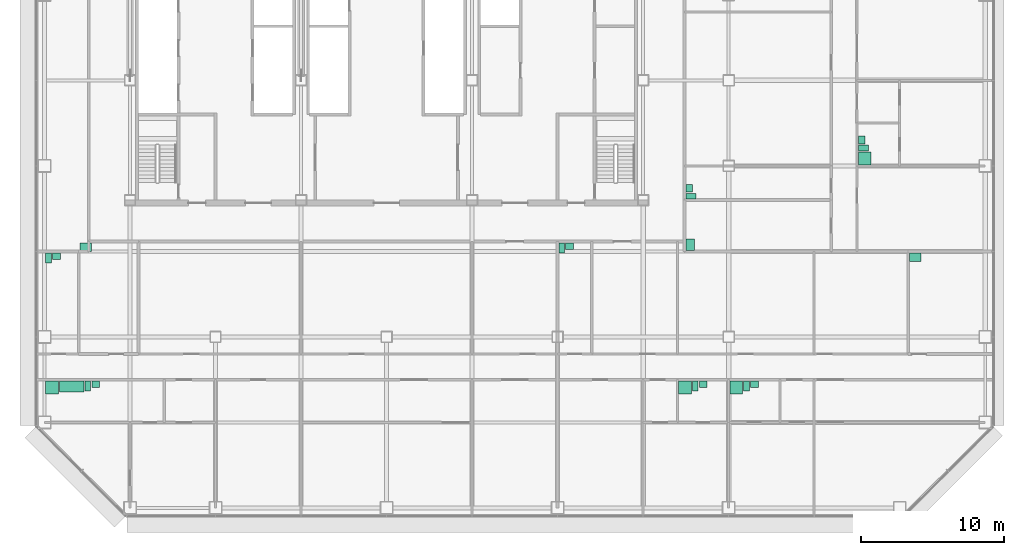
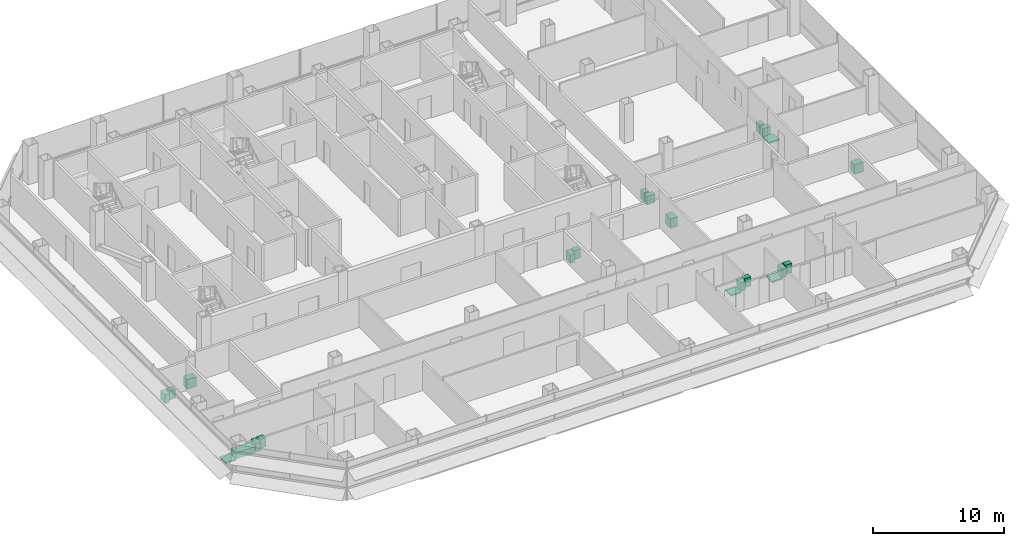
# One storey, part 27 of 27: 22 sanitary terminals.
"""IFC4 building model written with IfcOpenShell, lengths in metres."""

from ifc_helpers import new_model, si_unit, direction, frame, origin, origin_2d, place, context, subcontext, project, spatial, rectangle, extrude, element, save


model = new_model("IFC4")

# Units and contexts
model_context = context("Model", 3, precision=1e-05, world=origin(), true_north=direction((0.0, 1.0)))
body_context = subcontext(model_context, "Body", "Model", "MODEL_VIEW")
ifc_project = project(units=[si_unit("LENGTHUNIT", "METRE"), si_unit("AREAUNIT", "SQUARE_METRE"), si_unit("VOLUMEUNIT", "CUBIC_METRE"), si_unit("PLANEANGLEUNIT", "RADIAN"), si_unit("MASSUNIT", "GRAM", prefix="KILO")], contexts=[model_context])

# Site, building, storey
site_placement = place(None, origin())
site = spatial("IfcSite", under=ifc_project, at=site_placement, CompositionType="ELEMENT")
building_placement = place(site_placement, origin())
building = spatial("IfcBuilding", under=site, at=building_placement, Name="Sorahane Residences", CompositionType="ELEMENT")
storey_placement = place(building_placement, frame((0.0, 0.0, 53.39990234375)))
storey = spatial("IfcBuildingStorey", under=building, at=storey_placement, Name="L09", CompositionType="ELEMENT", Elevation=53.39990234375)

# Sanitary terminals
sanitary_terminal_1_placement = place(storey_placement, frame((0.530029296875, 8.449951171875, 0.0), z_axis=(0.0, 0.0, 1.0), x_axis=(1.0, 0.0, 0.0)))
element("IfcSanitaryTerminal", 1, at=sanitary_terminal_1_placement, inside=storey, Name="Shower tray En-suite bathroom 09A", PredefinedType="SHOWER", context=body_context, shape_type="SweptSolid", body=[
    extrude(rectangle(XDim=0.89990234375, YDim=0.89990234375, at=origin_2d()), origin(), (0.0, 0.0, 1.0), 0.1201171875),
])
sanitary_terminal_2_placement = place(storey_placement, frame((1.909912109375, 8.52490234375, 0.0), z_axis=(0.0, 0.0, 1.0), x_axis=(1.0, 0.0, 0.0)))
element("IfcSanitaryTerminal", 2, at=sanitary_terminal_2_placement, inside=storey, Name="Bath En-suite bathroom 09A", PredefinedType="BATH", context=body_context, shape_type="SweptSolid", body=[
    extrude(rectangle(XDim=1.699951171875, YDim=0.75, at=origin_2d()), origin(), (0.0, 0.0, 1.0), 0.56005859375),
])
sanitary_terminal_3_placement = place(storey_placement, frame((3.0400390625, 8.550048828125, 0.0), z_axis=(0.0, 0.0, 1.0), x_axis=(1.0, 0.0, 0.0)))
element("IfcSanitaryTerminal", 3, at=sanitary_terminal_3_placement, inside=storey, Name="WC pan En-suite bathroom 09A", PredefinedType="TOILETPAN", context=body_context, shape_type="SweptSolid", body=[
    extrude(rectangle(XDim=0.39990234375, YDim=0.699951171875, at=origin_2d()), origin(), (0.0, 0.0, 1.0), 0.800048828125),
])
sanitary_terminal_4_placement = place(storey_placement, frame((3.594970703125, 8.675048828125, 0.0), z_axis=(0.0, 0.0, 1.0), x_axis=(1.0, 0.0, 0.0)))
element("IfcSanitaryTerminal", 4, at=sanitary_terminal_4_placement, inside=storey, Name="Wash basin En-suite bathroom 09A", PredefinedType="WASHHANDBASIN", context=body_context, shape_type="SweptSolid", body=[
    extrude(rectangle(XDim=0.550048828125, YDim=0.449951171875, at=origin_2d()), origin(), (0.0, 0.0, 1.0), 0.85009765625),
])
sanitary_terminal_5_placement = place(storey_placement, frame((0.280029296875, 17.550048828125, 0.0), z_axis=(0.0, 0.0, 1.0), x_axis=(1.0, 0.0, 0.0)))
element("IfcSanitaryTerminal", 5, at=sanitary_terminal_5_placement, inside=storey, Name="WC pan Powder room 09A", PredefinedType="TOILETPAN", context=body_context, shape_type="SweptSolid", body=[
    extrude(rectangle(XDim=0.39990234375, YDim=0.699951171875, at=origin_2d()), origin(), (0.0, 0.0, 1.0), 0.800048828125),
])
sanitary_terminal_6_placement = place(storey_placement, frame((0.8349609375, 17.675048828125, 0.0), z_axis=(0.0, 0.0, 1.0), x_axis=(1.0, 0.0, 0.0)))
element("IfcSanitaryTerminal", 6, at=sanitary_terminal_6_placement, inside=storey, Name="Wash basin Powder room 09A", PredefinedType="WASHHANDBASIN", context=body_context, shape_type="SweptSolid", body=[
    extrude(rectangle(XDim=0.550048828125, YDim=0.449951171875, at=origin_2d()), origin(), (0.0, 0.0, 1.0), 0.85009765625),
])
sanitary_terminal_7_placement = place(storey_placement, frame((2.8798828125, 18.300048828125, 0.000244140625), z_axis=(0.0, 0.0, 1.0), x_axis=(1.0, 0.0, 0.0)))
element("IfcSanitaryTerminal", 7, at=sanitary_terminal_7_placement, inside=storey, Name="Kitchen sink Kitchen 09A", PredefinedType="SINK", context=body_context, shape_type="SweptSolid", body=[
    extrude(rectangle(XDim=0.800048828125, YDim=0.60009765625, at=origin_2d()), origin(), (0.0, 0.0, 1.0), 0.89990234375),
])
sanitary_terminal_8_placement = place(storey_placement, frame((44.929931640625, 8.449951171875, 0.0), z_axis=(0.0, 0.0, 1.0), x_axis=(1.0, 0.0, 0.0)))
element("IfcSanitaryTerminal", 8, at=sanitary_terminal_8_placement, inside=storey, Name="Shower tray En-suite bathroom 09B", PredefinedType="SHOWER", context=body_context, shape_type="SweptSolid", body=[
    extrude(rectangle(XDim=0.89990234375, YDim=0.89990234375, at=origin_2d()), origin(), (0.0, 0.0, 1.0), 0.1201171875),
])
sanitary_terminal_9_placement = place(storey_placement, frame((45.659912109375, 8.550048828125, 0.0), z_axis=(0.0, 0.0, 1.0), x_axis=(1.0, 0.0, 0.0)))
element("IfcSanitaryTerminal", 9, at=sanitary_terminal_9_placement, inside=storey, Name="WC pan En-suite bathroom 09B", PredefinedType="TOILETPAN", context=body_context, shape_type="SweptSolid", body=[
    extrude(rectangle(XDim=0.39990234375, YDim=0.699951171875, at=origin_2d()), origin(), (0.0, 0.0, 1.0), 0.800048828125),
])
sanitary_terminal_10_placement = place(storey_placement, frame((46.215087890625, 8.675048828125, 0.0), z_axis=(0.0, 0.0, 1.0), x_axis=(1.0, 0.0, 0.0)))
element("IfcSanitaryTerminal", 10, at=sanitary_terminal_10_placement, inside=storey, Name="Wash basin En-suite bathroom 09B", PredefinedType="WASHHANDBASIN", context=body_context, shape_type="SweptSolid", body=[
    extrude(rectangle(XDim=0.550048828125, YDim=0.449951171875, at=origin_2d()), origin(), (0.0, 0.0, 1.0), 0.85009765625),
])
sanitary_terminal_11_placement = place(storey_placement, frame((48.530029296875, 8.449951171875, 0.0), z_axis=(0.0, 0.0, 1.0), x_axis=(1.0, 0.0, 0.0)))
element("IfcSanitaryTerminal", 11, at=sanitary_terminal_11_placement, inside=storey, Name="Shower tray En-suite bathroom 09B-2", PredefinedType="SHOWER", context=body_context, shape_type="SweptSolid", body=[
    extrude(rectangle(XDim=0.89990234375, YDim=0.89990234375, at=origin_2d()), origin(), (0.0, 0.0, 1.0), 0.1201171875),
])
sanitary_terminal_12_placement = place(storey_placement, frame((49.260009765625, 8.550048828125, 0.0), z_axis=(0.0, 0.0, 1.0), x_axis=(1.0, 0.0, 0.0)))
element("IfcSanitaryTerminal", 12, at=sanitary_terminal_12_placement, inside=storey, Name="WC pan En-suite bathroom 09B-2", PredefinedType="TOILETPAN", context=body_context, shape_type="SweptSolid", body=[
    extrude(rectangle(XDim=0.39990234375, YDim=0.699951171875, at=origin_2d()), origin(), (0.0, 0.0, 1.0), 0.800048828125),
])
sanitary_terminal_13_placement = place(storey_placement, frame((49.81494140625, 8.675048828125, 0.0), z_axis=(0.0, 0.0, 1.0), x_axis=(1.0, 0.0, 0.0)))
element("IfcSanitaryTerminal", 13, at=sanitary_terminal_13_placement, inside=storey, Name="Wash basin En-suite bathroom 09B-2", PredefinedType="WASHHANDBASIN", context=body_context, shape_type="SweptSolid", body=[
    extrude(rectangle(XDim=0.550048828125, YDim=0.449951171875, at=origin_2d()), origin(), (0.0, 0.0, 1.0), 0.85009765625),
])
sanitary_terminal_14_placement = place(storey_placement, frame((36.280029296875, 18.25, 0.0), z_axis=(0.0, 0.0, 1.0), x_axis=(1.0, 0.0, 0.0)))
element("IfcSanitaryTerminal", 14, at=sanitary_terminal_14_placement, inside=storey, Name="WC pan Guest WC 09B", PredefinedType="TOILETPAN", context=body_context, shape_type="SweptSolid", body=[
    extrude(rectangle(XDim=0.39990234375, YDim=0.699951171875, at=origin_2d()), origin(), (0.0, 0.0, 1.0), 0.800048828125),
])
sanitary_terminal_15_placement = place(storey_placement, frame((36.8349609375, 18.375, 0.0), z_axis=(0.0, 0.0, 1.0), x_axis=(1.0, 0.0, 0.0)))
element("IfcSanitaryTerminal", 15, at=sanitary_terminal_15_placement, inside=storey, Name="Wash basin Guest WC 09B", PredefinedType="WASHHANDBASIN", context=body_context, shape_type="SweptSolid", body=[
    extrude(rectangle(XDim=0.550048828125, YDim=0.449951171875, at=origin_2d()), origin(), (0.0, 0.0, 1.0), 0.85009765625),
])
sanitary_terminal_16_placement = place(storey_placement, frame((61.080078125, 17.60009765625, 0.000244140625), z_axis=(0.0, 0.0, 1.0), x_axis=(1.0, 0.0, 0.0)))
element("IfcSanitaryTerminal", 16, at=sanitary_terminal_16_placement, inside=storey, Name="Kitchen sink Kitchen 09B", PredefinedType="SINK", context=body_context, shape_type="SweptSolid", body=[
    extrude(rectangle(XDim=0.800048828125, YDim=0.60009765625, at=origin_2d()), origin(), (0.0, 0.0, 1.0), 0.89990234375),
])
sanitary_terminal_17_placement = place(storey_placement, frame((57.550048828125, 24.530029296875, 0.0), z_axis=(0.0, 0.0, 1.0), x_axis=(0.0, 1.0, 0.0)))
element("IfcSanitaryTerminal", 17, at=sanitary_terminal_17_placement, inside=storey, Name="Shower tray En-suite bathroom 09C", PredefinedType="SHOWER", context=body_context, shape_type="SweptSolid", body=[
    extrude(rectangle(XDim=0.89990234375, YDim=0.89990234375, at=origin_2d()), origin(), (0.0, 0.0, 1.0), 0.1201171875),
])
sanitary_terminal_18_placement = place(storey_placement, frame((57.449951171875, 25.260009765625, 0.0), z_axis=(0.0, 0.0, 1.0), x_axis=(0.0, 1.0, 0.0)))
element("IfcSanitaryTerminal", 18, at=sanitary_terminal_18_placement, inside=storey, Name="WC pan En-suite bathroom 09C", PredefinedType="TOILETPAN", context=body_context, shape_type="SweptSolid", body=[
    extrude(rectangle(XDim=0.39990234375, YDim=0.699951171875, at=origin_2d()), origin(), (0.0, 0.0, 1.0), 0.800048828125),
])
sanitary_terminal_19_placement = place(storey_placement, frame((57.324951171875, 25.81494140625, 0.0), z_axis=(0.0, 0.0, 1.0), x_axis=(0.0, 1.0, 0.0)))
element("IfcSanitaryTerminal", 19, at=sanitary_terminal_19_placement, inside=storey, Name="Wash basin En-suite bathroom 09C", PredefinedType="WASHHANDBASIN", context=body_context, shape_type="SweptSolid", body=[
    extrude(rectangle(XDim=0.550048828125, YDim=0.449951171875, at=origin_2d()), origin(), (0.0, 0.0, 1.0), 0.85009765625),
])
sanitary_terminal_20_placement = place(storey_placement, frame((45.300048828125, 18.47998046875, 0.000244140625), z_axis=(0.0, 0.0, 1.0), x_axis=(0.0, 1.0, 0.0)))
element("IfcSanitaryTerminal", 20, at=sanitary_terminal_20_placement, inside=storey, Name="Kitchen sink Kitchen 09C", PredefinedType="SINK", context=body_context, shape_type="SweptSolid", body=[
    extrude(rectangle(XDim=0.800048828125, YDim=0.60009765625, at=origin_2d()), origin(), (0.0, 0.0, 1.0), 0.89990234375),
])
sanitary_terminal_21_placement = place(storey_placement, frame((45.35009765625, 21.8798828125, 0.0), z_axis=(0.0, 0.0, 1.0), x_axis=(0.0, 1.0, 0.0)))
element("IfcSanitaryTerminal", 21, at=sanitary_terminal_21_placement, inside=storey, Name="WC pan Guest WC 09C", PredefinedType="TOILETPAN", context=body_context, shape_type="SweptSolid", body=[
    extrude(rectangle(XDim=0.39990234375, YDim=0.699951171875, at=origin_2d()), origin(), (0.0, 0.0, 1.0), 0.800048828125),
])
sanitary_terminal_22_placement = place(storey_placement, frame((45.22509765625, 22.43505859375, 0.0), z_axis=(0.0, 0.0, 1.0), x_axis=(0.0, 1.0, 0.0)))
element("IfcSanitaryTerminal", 22, at=sanitary_terminal_22_placement, inside=storey, Name="Wash basin Guest WC 09C", PredefinedType="WASHHANDBASIN", context=body_context, shape_type="SweptSolid", body=[
    extrude(rectangle(XDim=0.550048828125, YDim=0.449951171875, at=origin_2d()), origin(), (0.0, 0.0, 1.0), 0.85009765625),
])

save(model, "model.ifc")
